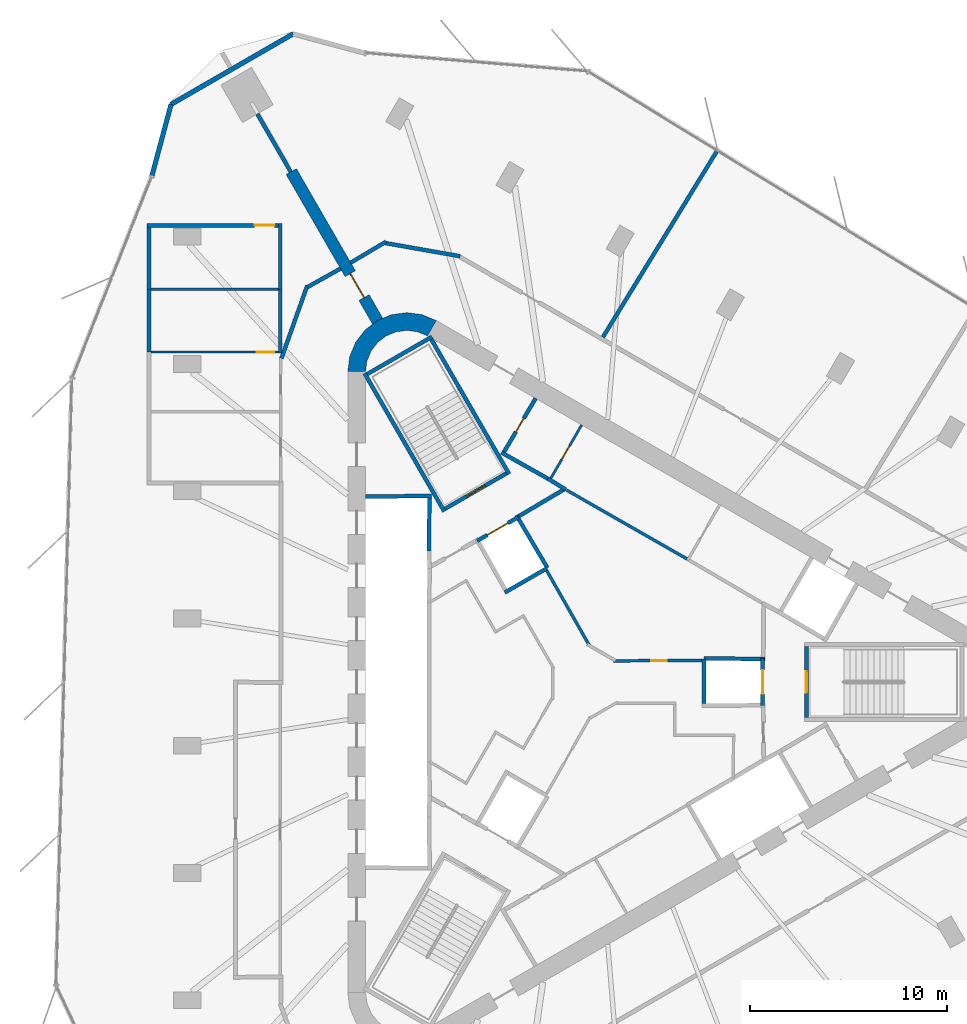
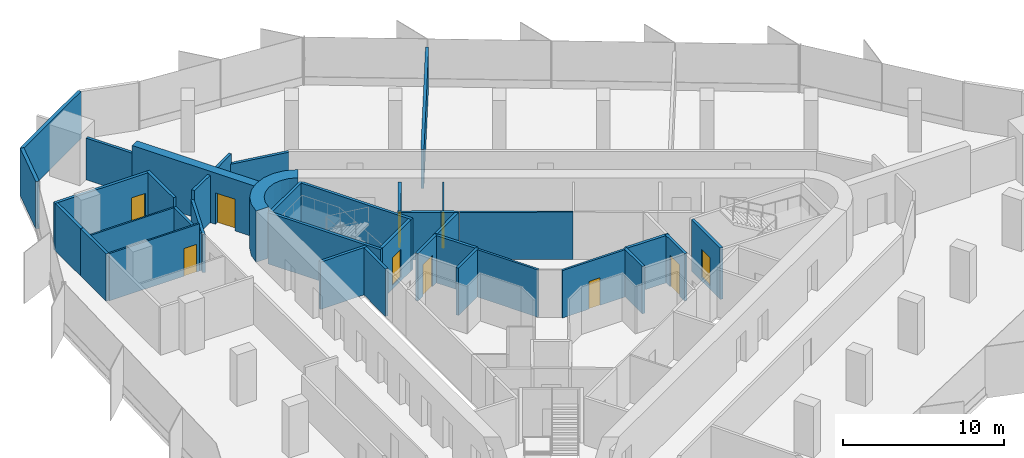
# One storey, part 10 of 13: 38 walls, 10 doors, 10 openings.
"""IFC4 building model written with IfcOpenShell, lengths in metres."""

from ifc_helpers import new_model, si_unit, direction, frame, frame_2d, origin, place, context, subcontext, project, spatial, polyline, rectangle, outline, extrude, material, layer, layer_set, type_object, element, fill, save


model = new_model("IFC4")

# Units and contexts
model_context = context("Model", 3, precision=1e-05, world=origin(), true_north=direction((0.0, 1.0)))
body_context = subcontext(model_context, "Body", "Model", "MODEL_VIEW")
ifc_project = project(units=[si_unit("LENGTHUNIT", "METRE"), si_unit("AREAUNIT", "SQUARE_METRE"), si_unit("VOLUMEUNIT", "CUBIC_METRE"), si_unit("PLANEANGLEUNIT", "RADIAN"), si_unit("MASSUNIT", "GRAM", prefix="KILO")], contexts=[model_context])

# Site, building, storey
site_placement = place(None, origin())
site = spatial("IfcSite", under=ifc_project, at=site_placement, CompositionType="ELEMENT")
building_placement = place(site_placement, origin())
building = spatial("IfcBuilding", under=site, at=building_placement, Name="Tanit Gate Tower", CompositionType="ELEMENT")
storey_placement = place(building_placement, frame((0.0, 0.0, 322.10009765625)))
storey = spatial("IfcBuildingStorey", under=building, at=storey_placement, Name="L72", CompositionType="ELEMENT", Elevation=322.10009765625)

# Wall, opening, door
ifc_material_1 = material(Name="Concrete C40/50", Category="concrete")
ifc_layer_1 = layer(ifc_material_1, 0.60009765625)
ifc_layer_set_1 = layer_set([ifc_layer_1], Name="BUTTRESS FIN 600 C40/50")
wall_type_1 = type_object("IfcWallType", Name="BUTTRESS FIN 600 C40/50", PredefinedType="SHEAR", material=ifc_layer_set_1)
wall_1_placement = place(storey_placement, frame((-10.574951171875, 18.31640625, 0.0), z_axis=(0.0, 0.0, 1.0), x_axis=(-0.499987805019, 0.866032444446, 0.0)))
wall_1 = element("IfcWall", 1, at=wall_1_placement, inside=storey, type_object=wall_type_1, Name="BUTTRESS FIN", PredefinedType="SHEAR", context=body_context, shape_type="SweptSolid", body=[
    extrude(rectangle(XDim=8.787353515625, YDim=0.60009765625, at=frame_2d((4.3935546875, 0.0))), origin(), (0.0, 0.0, 1.0), 3.89990234375),
])
opening_1_placement = place(wall_1_placement, frame((1.39990234375, 0.0, 0.0)))
opening_1 = element("IfcOpeningElement", 2, at=opening_1_placement, cuts=wall_1, Name="Opening P14-S20-F-NW-1", PredefinedType="OPENING", context=body_context, shape_type="SweptSolid", body=[
    extrude(rectangle(XDim=1.39990234375, YDim=2.39990234375, at=frame_2d((0.699951171875, 1.199951171875))), frame((0.0, 0.31005859375, 0.0), z_axis=(0.0, -1.0, 0.0), x_axis=(1.0, 0.0, 0.0)), (0.0, 0.0, 1.0), 0.6201171875),
])
ifc_material_2 = material(Name="Timber door leaf", Category="wood")
door_type_1 = type_object("IfcDoorType", Name="INT-DOOR-FIN-PAIR-1400", OperationType="NOTDEFINED", PredefinedType="NOTDEFINED", material=ifc_material_2)
door_1_placement = place(opening_1_placement, origin())
door_1 = element("IfcDoor", 3, at=door_1_placement, inside=storey, type_object=door_type_1, Name="Door P14-S20-F-NW-1", OperationType="DOUBLE_DOOR_SINGLE_SWING", OverallHeight=2.39990234375, OverallWidth=1.39990234375, PredefinedType="NOTDEFINED", context=body_context, shape_type="SweptSolid", body=[
    extrude(rectangle(XDim=1.39990234375, YDim=2.39990234375, at=frame_2d((0.699951171875, 1.199951171875))), frame((0.0, 0.02490234375, 0.0), z_axis=(0.0, -1.0, 0.0), x_axis=(1.0, 0.0, 0.0)), (0.0, 0.0, 1.0), 0.050048828125),
])
fill(opening_1, door_1)

# Walls
ifc_material_3 = material(Name="Concrete C40/50", Category="concrete")
ifc_layer_2 = layer(ifc_material_3, 0.89990234375)
ifc_layer_set_2 = layer_set([ifc_layer_2], Name="CORE WALL 900 C40/50")
wall_type_2 = type_object("IfcWallType", Name="CORE WALL 900 C40/50", PredefinedType="SHEAR", material=ifc_layer_set_2)
wall_2_placement = place(storey_placement, origin())
element("IfcWall", 4, at=wall_2_placement, inside=storey, type_object=wall_type_2, Name="CORE WALL CORNER", PredefinedType="SHEAR", context=body_context, shape_type="SweptSolid", body=[
    extrude(outline(polyline([(-7.60009765625, 18.359619140625), (-8.323486328125, 18.659423828125), (-9.10009765625, 18.76171875), (-9.87646484375, 18.659423828125), (-10.60009765625, 18.359619140625), (-11.22119140625, 17.883056640625), (-11.697998046875, 17.26171875), (-11.997802734375, 16.5380859375), (-12.10009765625, 15.76171875), (-11.199951171875, 15.76171875), (-11.12841796875, 16.30517578125), (-10.918701171875, 16.811767578125), (-10.5849609375, 17.24658203125), (-10.14990234375, 17.580322265625), (-9.6435546875, 17.7900390625), (-9.10009765625, 17.86181640625), (-8.556396484375, 17.7900390625), (-8.050048828125, 17.580322265625), (-7.60009765625, 18.359619140625)])), origin(), (0.0, 0.0, 1.0), 3.89990234375),
])
ifc_material_4 = material(Name="Concrete C30/37 with bronze anodised aluminium cladding", Category="concrete")
ifc_layer_3 = layer(ifc_material_4, 0.239990234375)
ifc_layer_set_3 = layer_set([ifc_layer_3], Name="Facade wall bronze clad 240")
wall_type_3 = type_object("IfcWallType", Name="Facade wall bronze clad 240", PredefinedType="SOLIDWALL", material=ifc_layer_set_3)
wall_3_placement = place(storey_placement, frame((-14.871337890625, 32.926025390625, 0.0), z_axis=(0.0, 0.0, 1.0), x_axis=(-0.866029611329, -0.499992712247, 0.0)))
element("IfcWall", 5, at=wall_3_placement, inside=storey, type_object=wall_type_3, Name="Bronze-clad facade wall L72 NW.arc2", PredefinedType="SOLIDWALL", context=body_context, shape_type="SweptSolid", body=[
    extrude(rectangle(XDim=7.16796875, YDim=0.239990234375, at=frame_2d((3.583984375, 0.0))), origin(), (0.0, 0.0, 1.0), 3.599853515625),
])
wall_4_placement = place(storey_placement, frame((-21.0791015625, 29.342041015625, 0.0), z_axis=(0.0, 0.0, 1.0), x_axis=(-0.258833727946, -0.965921891913, 0.0)))
element("IfcWall", 6, at=wall_4_placement, inside=storey, type_object=wall_type_3, Name="Bronze-clad facade wall L72 NW.arc3", PredefinedType="SOLIDWALL", context=body_context, shape_type="SweptSolid", body=[
    extrude(rectangle(XDim=3.749267578125, YDim=0.239990234375, at=frame_2d((1.87451171875, 0.0))), origin(), (0.0, 0.0, 1.0), 3.599853515625),
])
ifc_material_5 = material(Name="Fire-rated gypsum board partition")
ifc_layer_4 = layer(ifc_material_5, 0.199951171875)
ifc_layer_set_4 = layer_set([ifc_layer_4], Name="INT-WALL-COMPARTMENT")
wall_type_4 = type_object("IfcWallType", Name="INT-WALL-COMPARTMENT", PredefinedType="PARTITIONING", material=ifc_layer_set_4)
wall_5_placement = place(storey_placement, frame((-1.940673828125, 10.338623046875, 0.0), z_axis=(0.0, 0.0, 1.0), x_axis=(0.850216889117, -0.526432561171, 0.0)))
element("IfcWall", 7, at=wall_5_placement, inside=storey, type_object=wall_type_4, Name="Wall Compartment W048", PredefinedType="PARTITIONING", context=body_context, shape_type="SweptSolid", body=[
    extrude(rectangle(XDim=1.078369140625, YDim=0.199951171875, at=frame_2d((0.5390625, 0.0))), origin(), (0.0, 0.0, 1.0), 3.599853515625),
])
wall_6_placement = place(storey_placement, frame((-4.296142578125, 11.658935546875, 0.0), z_axis=(0.0, 0.0, 1.0), x_axis=(0.871534483978, -0.490334215854, 0.0)))
element("IfcWall", 8, at=wall_6_placement, inside=storey, type_object=wall_type_4, Name="Wall Compartment W050", PredefinedType="PARTITIONING", context=body_context, shape_type="SweptSolid", body=[
    extrude(rectangle(XDim=2.7001953125, YDim=0.199951171875, at=frame_2d((1.35009765625, 0.0))), origin(), (0.0, 0.0, 1.0), 3.599853515625),
])

# Wall, opening, door
wall_7_placement = place(storey_placement, frame((-2.557861328125, 14.409423828125, 0.0), z_axis=(0.0, 0.0, 1.0), x_axis=(-0.508018930956, -0.861345903683, 0.0)))
wall_7 = element("IfcWall", 9, at=wall_7_placement, inside=storey, type_object=wall_type_4, Name="Wall Compartment W051", PredefinedType="PARTITIONING", context=body_context, shape_type="SweptSolid", body=[
    extrude(rectangle(XDim=3.150146484375, YDim=0.199951171875, at=frame_2d((1.5751953125, 0.0))), origin(), (0.0, 0.0, 1.0), 3.599853515625),
])
opening_2_placement = place(wall_7_placement, frame((1.175048828125, 0.0, 0.0)))
opening_2 = element("IfcOpeningElement", 10, at=opening_2_placement, cuts=wall_7, Name="Opening R08-S20-14", PredefinedType="OPENING", context=body_context, shape_type="SweptSolid", body=[
    extrude(rectangle(XDim=0.800048828125, YDim=2.10009765625, at=frame_2d((0.39990234375, 1.050048828125))), frame((0.0, 0.10986328125, 0.0), z_axis=(0.0, -1.0, 0.0), x_axis=(1.0, 0.0, 0.0)), (0.0, 0.0, 1.0), 0.219970703125),
])
ifc_material_6 = material(Name="Timber door leaf", Category="wood")
door_type_2 = type_object("IfcDoorType", Name="INT-DOOR-RISER-800", OperationType="NOTDEFINED", PredefinedType="USERDEFINED", material=ifc_material_6)
door_2_placement = place(opening_2_placement, origin())
door_2 = element("IfcDoor", 11, at=door_2_placement, inside=storey, type_object=door_type_2, Name="Door R08-S20-14", ObjectType="FIRE DOOR", OperationType="SINGLE_SWING_RIGHT", OverallHeight=2.10009765625, OverallWidth=0.800048828125, PredefinedType="USERDEFINED", context=body_context, shape_type="SweptSolid", body=[
    extrude(rectangle(XDim=0.800048828125, YDim=2.10009765625, at=frame_2d((0.39990234375, 1.050048828125))), frame((0.0, 0.02490234375, 0.0), z_axis=(0.0, -1.0, 0.0), x_axis=(1.0, 0.0, 0.0)), (0.0, 0.0, 1.0), 0.050048828125),
])
fill(opening_2, door_2)

# Walls
wall_8_placement = place(storey_placement, frame((-1.0546875, 9.818359375, 0.0), z_axis=(0.0, 0.0, 1.0), x_axis=(-0.860614334655, -0.50925726994, 0.0)))
element("IfcWall", 12, at=wall_8_placement, inside=storey, type_object=wall_type_4, Name="Wall Compartment W061", PredefinedType="PARTITIONING", context=body_context, shape_type="SweptSolid", body=[
    extrude(rectangle(XDim=2.725830078125, YDim=0.199951171875, at=frame_2d((1.36279296875, 0.0))), origin(), (0.0, 0.0, 1.0), 3.599853515625),
])
wall_9_placement = place(storey_placement, frame((-14.153564453125, 20.14208984375, 0.0), z_axis=(0.0, 0.0, 1.0), x_axis=(-0.335013345564, -0.94221338257, 0.0)))
element("IfcWall", 13, at=wall_9_placement, inside=storey, type_object=wall_type_4, Name="Wall Compartment W091", PredefinedType="PARTITIONING", context=body_context, shape_type="SweptSolid", body=[
    extrude(rectangle(XDim=3.9287109375, YDim=0.199951171875, at=frame_2d((1.96435546875, 0.0))), origin(), (0.0, 0.0, 1.0), 2.8798828125),
])
wall_10_placement = place(storey_placement, frame((-12.469970703125, 20.99853515625, 0.0), z_axis=(0.0, 0.0, 1.0), x_axis=(-0.87250601595, -0.488603368932, 0.0)))
element("IfcWall", 14, at=wall_10_placement, inside=storey, type_object=wall_type_4, Name="Wall Compartment W092", PredefinedType="PARTITIONING", context=body_context, shape_type="SweptSolid", body=[
    extrude(rectangle(XDim=1.923828125, YDim=0.199951171875, at=frame_2d((0.9619140625, 0.0))), origin(), (0.0, 0.0, 1.0), 3.599853515625),
])
wall_11_placement = place(storey_placement, frame((-10.154541015625, 22.3671875, 0.0), z_axis=(0.0, 0.0, 1.0), x_axis=(-0.859343009577, -0.511399640097, 0.0)))
element("IfcWall", 15, at=wall_11_placement, inside=storey, type_object=wall_type_4, Name="Wall Compartment W095", PredefinedType="PARTITIONING", context=body_context, shape_type="SweptSolid", body=[
    extrude(rectangle(XDim=2.089599609375, YDim=0.199951171875, at=frame_2d((1.044921875, 0.0))), origin(), (0.0, 0.0, 1.0), 3.599853515625),
])
wall_12_placement = place(storey_placement, frame((-6.389404296875, 21.626220703125, 0.0), z_axis=(0.0, 0.0, 1.0), x_axis=(-0.984802578286, 0.173677522442, 0.0)))
element("IfcWall", 16, at=wall_12_placement, inside=storey, type_object=wall_type_4, Name="Wall Compartment W096", PredefinedType="PARTITIONING", context=body_context, shape_type="SweptSolid", body=[
    extrude(rectangle(XDim=3.87548828125, YDim=0.199951171875, at=frame_2d((1.937744140625, 0.0))), origin(), (0.0, 0.0, 1.0), 2.8798828125),
])
wall_13_placement = place(storey_placement, frame((-14.99462890625, 25.911376953125, 0.0), z_axis=(0.0, 0.0, 1.0), x_axis=(-0.500010627009, 0.866019268191, 0.0)))
element("IfcWall", 17, at=wall_13_placement, inside=storey, type_object=wall_type_4, Name="Wall Compartment W109", PredefinedType="PARTITIONING", context=body_context, shape_type="SweptSolid", body=[
    extrude(rectangle(XDim=3.39794921875, YDim=0.199951171875, at=frame_2d((1.698974609375, 0.0))), origin(), (0.0, 0.0, 1.0), 3.169921875),
])
wall_14_placement = place(storey_placement, frame((-22.199951171875, 23.090087890625, 0.0), z_axis=(0.0, 0.0, 1.0), x_axis=(0.0, -1.0, 0.0)))
element("IfcWall", 18, at=wall_14_placement, inside=storey, type_object=wall_type_4, Name="Wall Compartment W119", PredefinedType="PARTITIONING", context=body_context, shape_type="SweptSolid", body=[
    extrude(rectangle(XDim=3.139892578125, YDim=0.199951171875, at=frame_2d((1.56982421875, 0.0))), origin(), (0.0, 0.0, 1.0), 3.599853515625),
])
wall_15_placement = place(storey_placement, frame((-22.199951171875, 19.9501953125, 0.0), z_axis=(0.0, 0.0, 1.0), x_axis=(0.0, -1.0, 0.0)))
element("IfcWall", 19, at=wall_15_placement, inside=storey, type_object=wall_type_4, Name="Wall Compartment W115", PredefinedType="PARTITIONING", context=body_context, shape_type="SweptSolid", body=[
    extrude(rectangle(XDim=3.1884765625, YDim=0.199951171875, at=frame_2d((1.59423828125, 0.0))), origin(), (0.0, 0.0, 1.0), 3.599853515625),
])
wall_16_placement = place(storey_placement, frame((-15.530029296875, 16.70166015625, 0.0), z_axis=(0.0, 0.0, 1.0), x_axis=(0.0, 1.0, 0.0)))
element("IfcWall", 20, at=wall_16_placement, inside=storey, type_object=wall_type_4, Name="Wall Compartment W116", PredefinedType="PARTITIONING", context=body_context, shape_type="SweptSolid", body=[
    extrude(rectangle(XDim=3.24853515625, YDim=0.199951171875, at=frame_2d((1.624267578125, 0.0))), origin(), (0.0, 0.0, 1.0), 2.8798828125),
])
wall_17_placement = place(storey_placement, frame((-15.530029296875, 19.9501953125, 0.0), z_axis=(0.0, 0.0, 1.0), x_axis=(0.0, 1.0, 0.0)))
element("IfcWall", 21, at=wall_17_placement, inside=storey, type_object=wall_type_4, Name="Wall Compartment W117", PredefinedType="PARTITIONING", context=body_context, shape_type="SweptSolid", body=[
    extrude(rectangle(XDim=3.33984375, YDim=0.199951171875, at=frame_2d((1.669921875, 0.0))), origin(), (0.0, 0.0, 1.0), 3.599853515625),
])

# Wall, opening, door
wall_18_placement = place(storey_placement, frame((-15.6298828125, 23.18994140625, 0.0), z_axis=(0.0, 0.0, 1.0), x_axis=(-1.0, 0.0, 0.0)))
wall_18 = element("IfcWall", 22, at=wall_18_placement, inside=storey, type_object=wall_type_4, Name="Wall Compartment W118", PredefinedType="PARTITIONING", context=body_context, shape_type="SweptSolid", body=[
    extrude(rectangle(XDim=6.670166015625, YDim=0.199951171875, at=frame_2d((3.3349609375, 0.0))), origin(), (0.0, 0.0, 1.0), 3.599853515625),
])
opening_3_placement = place(wall_18_placement, frame((0.199951171875, 0.0, 0.0)))
opening_3 = element("IfcOpeningElement", 23, at=opening_3_placement, cuts=wall_18, Name="Opening F10-S20-22", PredefinedType="OPENING", context=body_context, shape_type="SweptSolid", body=[
    extrude(rectangle(XDim=1.0, YDim=2.10009765625, at=frame_2d((0.5, 1.050048828125))), frame((0.0, 0.10986328125, 0.0), z_axis=(0.0, -1.0, 0.0), x_axis=(1.0, 0.0, 0.0)), (0.0, 0.0, 1.0), 0.219970703125),
])
ifc_material_7 = material(Name="Fire-rated steel door leaf", Category="steel")
door_type_3 = type_object("IfcDoorType", Name="INT-DOOR-FIRE-1000", OperationType="NOTDEFINED", PredefinedType="USERDEFINED", material=ifc_material_7)
door_3_placement = place(opening_3_placement, origin())
door_3 = element("IfcDoor", 24, at=door_3_placement, inside=storey, type_object=door_type_3, Name="Door F10-S20-22", ObjectType="FIRE DOOR", OperationType="SINGLE_SWING_LEFT", OverallHeight=2.10009765625, OverallWidth=1.0, PredefinedType="USERDEFINED", context=body_context, shape_type="SweptSolid", body=[
    extrude(rectangle(XDim=1.0, YDim=2.10009765625, at=frame_2d((0.5, 1.050048828125))), frame((0.0, 0.02490234375, 0.0), z_axis=(0.0, -1.0, 0.0), x_axis=(1.0, 0.0, 0.0)), (0.0, 0.0, 1.0), 0.050048828125),
])
fill(opening_3, door_3)

# Wall
wall_19_placement = place(storey_placement, frame((0.859619140625, 17.51708984375, 0.0), z_axis=(0.0, 0.0, 1.0), x_axis=(0.5223859344, 0.852709174069, 0.0)))
element("IfcWall", 25, at=wall_19_placement, inside=storey, type_object=wall_type_4, Name="Wall Compartment W120", PredefinedType="PARTITIONING", context=body_context, shape_type="SweptSolid", body=[
    extrude(rectangle(XDim=11.117431640625, YDim=0.199951171875, at=frame_2d((5.55859375, 0.0))), origin(), (0.0, 0.0, 1.0), 2.969970703125),
])

# Wall, opening, door
ifc_material_8 = material(Name="Gypsum board partition")
ifc_layer_5 = layer(ifc_material_8, 0.1201171875)
ifc_layer_set_5 = layer_set([ifc_layer_5], Name="INT-WALL-PARTITION")
wall_type_5 = type_object("IfcWallType", Name="INT-WALL-PARTITION", PredefinedType="PARTITIONING", material=ifc_layer_set_5)
wall_20_placement = place(storey_placement, frame((-0.2197265625, 13.0595703125, 0.0), z_axis=(0.0, 0.0, 1.0), x_axis=(-0.499984717929, -0.866034226713, 0.0)))
wall_20 = element("IfcWall", 26, at=wall_20_placement, inside=storey, type_object=wall_type_5, Name="Wall Partition W047", PredefinedType="PARTITIONING", context=body_context, shape_type="SweptSolid", body=[
    extrude(rectangle(XDim=3.25, YDim=0.1201171875, at=frame_2d((1.625, 0.0))), origin(), (0.0, 0.0, 1.0), 3.599853515625),
])
opening_4_placement = place(wall_20_placement, frame((1.22509765625, 0.0, 0.0)))
opening_4 = element("IfcOpeningElement", 27, at=opening_4_placement, cuts=wall_20, Name="Opening R08-S20-29", PredefinedType="OPENING", context=body_context, shape_type="SweptSolid", body=[
    extrude(rectangle(XDim=0.800048828125, YDim=2.10009765625, at=frame_2d((0.39990234375, 1.050048828125))), frame((0.0, 0.070068359375, 0.0), z_axis=(0.0, -1.0, 0.0), x_axis=(1.0, 0.0, 0.0)), (0.0, 0.0, 1.0), 0.14013671875),
])
door_4_placement = place(opening_4_placement, origin())
door_4 = element("IfcDoor", 28, at=door_4_placement, inside=storey, type_object=door_type_2, Name="Door R08-S20-29", ObjectType="FIRE DOOR", OperationType="SINGLE_SWING_RIGHT", OverallHeight=2.10009765625, OverallWidth=0.800048828125, PredefinedType="USERDEFINED", context=body_context, shape_type="SweptSolid", body=[
    extrude(rectangle(XDim=0.800048828125, YDim=2.10009765625, at=frame_2d((0.39990234375, 1.050048828125))), frame((0.0, 0.02490234375, 0.0), z_axis=(0.0, -1.0, 0.0), x_axis=(1.0, 0.0, 0.0)), (0.0, 0.0, 1.0), 0.050048828125),
])
fill(opening_4, door_4)

wall_21_placement = place(storey_placement, frame((-22.10009765625, 16.76171875, 0.0), z_axis=(0.0, 0.0, 1.0), x_axis=(1.0, 0.0, 0.0)))
wall_21 = element("IfcWall", 29, at=wall_21_placement, inside=storey, type_object=wall_type_5, Name="Wall Partition W126", PredefinedType="PARTITIONING", context=body_context, shape_type="SweptSolid", body=[
    extrude(rectangle(XDim=6.47021484375, YDim=0.1201171875, at=frame_2d((3.235107421875, 0.0))), origin(), (0.0, 0.0, 1.0), 3.599853515625),
])
opening_5_placement = place(wall_21_placement, frame((5.3701171875, 0.0, 0.0)))
opening_5 = element("IfcOpeningElement", 30, at=opening_5_placement, cuts=wall_21, Name="Opening D09-S20-21", PredefinedType="OPENING", context=body_context, shape_type="SweptSolid", body=[
    extrude(rectangle(XDim=0.89990234375, YDim=2.10009765625, at=frame_2d((0.449951171875, 1.050048828125))), frame((0.0, 0.070068359375, 0.0), z_axis=(0.0, -1.0, 0.0), x_axis=(1.0, 0.0, 0.0)), (0.0, 0.0, 1.0), 0.14013671875),
])
ifc_material_9 = material(Name="Timber door leaf", Category="wood")
door_type_4 = type_object("IfcDoorType", Name="INT-DOOR-SINGLE-900", OperationType="NOTDEFINED", PredefinedType="NOTDEFINED", material=ifc_material_9)
door_5_placement = place(opening_5_placement, origin())
door_5 = element("IfcDoor", 31, at=door_5_placement, inside=storey, type_object=door_type_4, Name="Door D09-S20-21", OperationType="SINGLE_SWING_RIGHT", OverallHeight=2.10009765625, OverallWidth=0.89990234375, PredefinedType="NOTDEFINED", context=body_context, shape_type="SweptSolid", body=[
    extrude(rectangle(XDim=0.89990234375, YDim=2.10009765625, at=frame_2d((0.449951171875, 1.050048828125))), frame((0.0, 0.02490234375, 0.0), z_axis=(0.0, -1.0, 0.0), x_axis=(1.0, 0.0, 0.0)), (0.0, 0.0, 1.0), 0.050048828125),
])
fill(opening_5, door_5)

# Walls
wall_22_placement = place(storey_placement, frame((-22.10009765625, 19.9501953125, 0.0), z_axis=(0.0, 0.0, 1.0), x_axis=(1.0, 0.0, 0.0)))
element("IfcWall", 32, at=wall_22_placement, inside=storey, type_object=wall_type_5, Name="Wall Partition W127", PredefinedType="PARTITIONING", context=body_context, shape_type="SweptSolid", body=[
    extrude(rectangle(XDim=6.47021484375, YDim=0.1201171875, at=frame_2d((3.235107421875, 0.0))), origin(), (0.0, 0.0, 1.0), 2.8798828125),
])
ifc_material_10 = material(Name="Fire-rated gypsum board partition")
ifc_layer_6 = layer(ifc_material_10, 0.14990234375)
ifc_layer_set_6 = layer_set([ifc_layer_6], Name="INT-WALL-RISER")
wall_type_6 = type_object("IfcWallType", Name="INT-WALL-RISER", PredefinedType="PLUMBINGWALL", material=ifc_layer_set_6)
wall_23_placement = place(storey_placement, frame((5.1591796875, 6.23583984375, 0.0), z_axis=(0.0, 0.0, 1.0), x_axis=(-0.868105023632, 0.496380567654, 0.0)))
element("IfcWall", 33, at=wall_23_placement, inside=storey, type_object=wall_type_6, Name="Wall Riser W049", PredefinedType="PLUMBINGWALL", context=body_context, shape_type="SweptSolid", body=[
    extrude(rectangle(XDim=7.072265625, YDim=0.14990234375, at=frame_2d((3.5361328125, 0.0))), origin(), (0.0, 0.0, 1.0), 3.599853515625),
])

# Wall, opening, door
wall_24_placement = place(storey_placement, frame((1.3876953125, 1.07421875, 0.0), z_axis=(0.0, 0.0, 1.0), x_axis=(0.99997856967, 0.006546770205, 0.0)))
wall_24 = element("IfcWall", 34, at=wall_24_placement, inside=storey, type_object=wall_type_6, Name="Wall Riser W065", PredefinedType="PLUMBINGWALL", context=body_context, shape_type="SweptSolid", body=[
    extrude(rectangle(XDim=4.51220703125, YDim=0.14990234375, at=frame_2d((2.256103515625, 0.0))), origin(), (0.0, 0.0, 1.0), 3.599853515625),
])
opening_6_placement = place(wall_24_placement, frame((1.920166015625, 0.0, 0.0)))
opening_6 = element("IfcOpeningElement", 35, at=opening_6_placement, cuts=wall_24, Name="Opening R08-S20-10", PredefinedType="OPENING", context=body_context, shape_type="SweptSolid", body=[
    extrude(rectangle(XDim=0.800048828125, YDim=2.10009765625, at=frame_2d((0.39990234375, 1.050048828125))), frame((0.0, 0.0849609375, 0.0), z_axis=(0.0, -1.0, 0.0), x_axis=(1.0, 0.0, 0.0)), (0.0, 0.0, 1.0), 0.169921875),
])
door_6_placement = place(opening_6_placement, origin())
door_6 = element("IfcDoor", 36, at=door_6_placement, inside=storey, type_object=door_type_2, Name="Door R08-S20-10", ObjectType="FIRE DOOR", OperationType="SINGLE_SWING_RIGHT", OverallHeight=2.10009765625, OverallWidth=0.800048828125, PredefinedType="USERDEFINED", context=body_context, shape_type="SweptSolid", body=[
    extrude(rectangle(XDim=0.800048828125, YDim=2.10009765625, at=frame_2d((0.39990234375, 1.050048828125))), frame((0.0, 0.02490234375, 0.0), z_axis=(0.0, -1.0, 0.0), x_axis=(1.0, 0.0, 0.0)), (0.0, 0.0, 1.0), 0.050048828125),
])
fill(opening_6, door_6)

# Walls
wall_25_placement = place(storey_placement, frame((-1.994140625, 5.661376953125, 0.0), z_axis=(0.0, 0.0, 1.0), x_axis=(0.494341211302, -0.869267948798, 0.0)))
element("IfcWall", 37, at=wall_25_placement, inside=storey, type_object=wall_type_6, Name="Wall Riser W067", PredefinedType="PLUMBINGWALL", context=body_context, shape_type="SweptSolid", body=[
    extrude(rectangle(XDim=4.36083984375, YDim=0.14990234375, at=frame_2d((2.180419921875, 0.0))), origin(), (0.0, 0.0, 1.0), 3.599853515625),
])
ifc_material_11 = material(Name="Gypsum shaft wall system")
ifc_layer_7 = layer(ifc_material_11, 0.199951171875)
ifc_layer_set_7 = layer_set([ifc_layer_7], Name="INT-WALL-SHAFT")
wall_type_7 = type_object("IfcWallType", Name="INT-WALL-SHAFT", PredefinedType="PLUMBINGWALL", material=ifc_layer_set_7)
wall_26_placement = place(storey_placement, frame((-11.199951171875, 9.419921875, 0.0), z_axis=(0.0, 0.0, 1.0), x_axis=(0.999957167047, 0.009255488683, 0.0)))
element("IfcWall", 38, at=wall_26_placement, inside=storey, type_object=wall_type_7, Name="Wall Shaft W001", PredefinedType="PLUMBINGWALL", context=body_context, shape_type="SweptSolid", body=[
    extrude(rectangle(XDim=3.35009765625, YDim=0.199951171875, at=frame_2d((1.675048828125, 0.0))), origin(), (0.0, 0.0, 1.0), 3.599853515625),
])
wall_27_placement = place(storey_placement, frame((-7.951171875, 9.35009765625, 0.0), z_axis=(0.0, 0.0, 1.0), x_axis=(-0.011120469654, -0.999938165666, 0.0)))
element("IfcWall", 39, at=wall_27_placement, inside=storey, type_object=wall_type_7, Name="Wall Shaft W002", PredefinedType="PLUMBINGWALL", context=body_context, shape_type="SweptSolid", body=[
    extrude(rectangle(XDim=2.700439453125, YDim=0.199951171875, at=frame_2d((1.35009765625, 0.0))), origin(), (0.0, 0.0, 1.0), 3.599853515625),
])

# Wall, opening, door
wall_28_placement = place(storey_placement, frame((8.969970703125, 1.199951171875, 0.0), z_axis=(0.0, 0.0, 1.0), x_axis=(0.0, -1.0, 0.0)))
wall_28 = element("IfcWall", 40, at=wall_28_placement, inside=storey, type_object=wall_type_7, Name="Wall Shaft W024", PredefinedType="PLUMBINGWALL", context=body_context, shape_type="SweptSolid", body=[
    extrude(rectangle(XDim=2.39990234375, YDim=0.199951171875, at=frame_2d((1.199951171875, 0.0))), origin(), (0.0, 0.0, 1.0), 3.599853515625),
])
opening_7_placement = place(wall_28_placement, frame((0.60009765625, 0.0, 0.0)))
opening_7 = element("IfcOpeningElement", 41, at=opening_7_placement, cuts=wall_28, Name="Opening LDFL1-L72", PredefinedType="OPENING", context=body_context, shape_type="SweptSolid", body=[
    extrude(rectangle(XDim=1.199951171875, YDim=2.39990234375, at=frame_2d((0.60009765625, 1.199951171875))), frame((0.0, 0.10986328125, 0.0), z_axis=(0.0, -1.0, 0.0), x_axis=(1.0, 0.0, 0.0)), (0.0, 0.0, 1.0), 0.219970703125),
])
ifc_material_12 = material(Name="Stainless steel sliding door leaf", Category="steel")
door_type_5 = type_object("IfcDoorType", Name="INT-DOOR-LANDING-1200", OperationType="NOTDEFINED", PredefinedType="USERDEFINED", material=ifc_material_12)
door_7_placement = place(opening_7_placement, origin())
door_7 = element("IfcDoor", 42, at=door_7_placement, inside=storey, type_object=door_type_5, Name="Door LDFL1-L72", ObjectType="LANDING DOOR", OperationType="SLIDING_TO_LEFT", OverallHeight=2.39990234375, OverallWidth=1.199951171875, PredefinedType="USERDEFINED", context=body_context, shape_type="SweptSolid", body=[
    extrude(rectangle(XDim=1.199951171875, YDim=2.39990234375, at=frame_2d((0.60009765625, 1.199951171875))), frame((0.0, 0.02490234375, 0.0), z_axis=(0.0, -1.0, 0.0), x_axis=(1.0, 0.0, 0.0)), (0.0, 0.0, 1.0), 0.050048828125),
])
fill(opening_7, door_7)

# Walls
wall_29_placement = place(storey_placement, frame((6.0, 1.199951171875, 0.0), z_axis=(0.0, 0.0, 1.0), x_axis=(0.999949988, -0.010001074852, 0.0)))
element("IfcWall", 43, at=wall_29_placement, inside=storey, type_object=wall_type_7, Name="Wall Shaft W025", PredefinedType="PLUMBINGWALL", context=body_context, shape_type="SweptSolid", body=[
    extrude(rectangle(XDim=3.100341796875, YDim=0.199951171875, at=frame_2d((1.55029296875, 0.0))), origin(), (0.0, 0.0, 1.0), 3.599853515625),
])
wall_30_placement = place(storey_placement, frame((6.0, -1.10009765625, 0.0), z_axis=(0.0, 0.0, 1.0), x_axis=(0.0, 1.0, 0.0)))
element("IfcWall", 44, at=wall_30_placement, inside=storey, type_object=wall_type_7, Name="Wall Shaft W027", PredefinedType="PLUMBINGWALL", context=body_context, shape_type="SweptSolid", body=[
    extrude(rectangle(XDim=2.279541015625, YDim=0.199951171875, at=frame_2d((1.1396484375, 0.0))), origin(), (0.0, 0.0, 1.0), 3.599853515625),
])

# Wall, opening, door
wall_31_placement = place(storey_placement, frame((-5.524169921875, 7.168212890625, 0.0), z_axis=(0.0, 0.0, 1.0), x_axis=(0.866024647952, 0.500001309137, 0.0)))
wall_31 = element("IfcWall", 45, at=wall_31_placement, inside=storey, type_object=wall_type_7, Name="Wall Shaft W032", PredefinedType="PLUMBINGWALL", context=body_context, shape_type="SweptSolid", body=[
    extrude(rectangle(XDim=2.39990234375, YDim=0.199951171875, at=frame_2d((1.199951171875, 0.0))), origin(), (0.0, 0.0, 1.0), 3.599853515625),
])
opening_8_placement = place(wall_31_placement, frame((0.60009765625, 0.0, 0.0)))
opening_8 = element("IfcOpeningElement", 46, at=opening_8_placement, cuts=wall_31, Name="Opening LDFL2-L72", PredefinedType="OPENING", context=body_context, shape_type="SweptSolid", body=[
    extrude(rectangle(XDim=1.199951171875, YDim=2.39990234375, at=frame_2d((0.60009765625, 1.199951171875))), frame((0.0, 0.10986328125, 0.0), z_axis=(0.0, -1.0, 0.0), x_axis=(1.0, 0.0, 0.0)), (0.0, 0.0, 1.0), 0.219970703125),
])
door_8_placement = place(opening_8_placement, origin())
door_8 = element("IfcDoor", 47, at=door_8_placement, inside=storey, type_object=door_type_5, Name="Door LDFL2-L72", ObjectType="LANDING DOOR", OperationType="SLIDING_TO_LEFT", OverallHeight=2.39990234375, OverallWidth=1.199951171875, PredefinedType="USERDEFINED", context=body_context, shape_type="SweptSolid", body=[
    extrude(rectangle(XDim=1.199951171875, YDim=2.39990234375, at=frame_2d((0.60009765625, 1.199951171875))), frame((0.0, 0.02490234375, 0.0), z_axis=(0.0, -1.0, 0.0), x_axis=(1.0, 0.0, 0.0)), (0.0, 0.0, 1.0), 0.050048828125),
])
fill(opening_8, door_8)

# Walls
wall_32_placement = place(storey_placement, frame((-3.53759765625, 8.46533203125, 0.0), z_axis=(0.0, 0.0, 1.0), x_axis=(0.508647062354, -0.860975125052, 0.0)))
element("IfcWall", 48, at=wall_32_placement, inside=storey, type_object=wall_type_7, Name="Wall Shaft W033", PredefinedType="PLUMBINGWALL", context=body_context, shape_type="SweptSolid", body=[
    extrude(rectangle(XDim=3.10009765625, YDim=0.199951171875, at=frame_2d((1.550048828125, 0.0))), origin(), (0.0, 0.0, 1.0), 3.599853515625),
])
wall_33_placement = place(storey_placement, frame((-1.978515625, 5.785888671875, 0.0), z_axis=(0.0, 0.0, 1.0), x_axis=(-0.866016689309, -0.500015093611, 0.0)))
element("IfcWall", 49, at=wall_33_placement, inside=storey, type_object=wall_type_7, Name="Wall Shaft W034", PredefinedType="PLUMBINGWALL", context=body_context, shape_type="SweptSolid", body=[
    extrude(rectangle(XDim=2.4794921875, YDim=0.199951171875, at=frame_2d((1.23974609375, 0.0))), origin(), (0.0, 0.0, 1.0), 3.599853515625),
])

# Wall, opening, door
ifc_material_13 = material(Name="Concrete C40/50", Category="concrete")
ifc_layer_8 = layer(ifc_material_13, 0.199951171875)
ifc_layer_set_8 = layer_set([ifc_layer_8], Name="INT-WALL-STAIR")
wall_type_8 = type_object("IfcWallType", Name="INT-WALL-STAIR", PredefinedType="SHEAR", material=ifc_layer_set_8)
wall_34_placement = place(storey_placement, frame((11.199951171875, -1.800048828125, -0.300048828125), z_axis=(0.0, 0.0, 1.0), x_axis=(0.0, 1.0, 0.0)))
wall_34 = element("IfcWall", 50, at=wall_34_placement, inside=storey, type_object=wall_type_8, Name="Wall Stair W023", PredefinedType="SHEAR", context=body_context, shape_type="SweptSolid", body=[
    extrude(rectangle(XDim=3.60009765625, YDim=0.199951171875, at=frame_2d((1.800048828125, 0.0))), origin(), (0.0, 0.0, 1.0), 3.89990234375),
])
opening_9_placement = place(wall_34_placement, frame((1.25, 0.0, 0.300048828125)))
opening_9 = element("IfcOpeningElement", 51, at=opening_9_placement, cuts=wall_34, Name="Opening S11-S20-01", PredefinedType="OPENING", context=body_context, shape_type="SweptSolid", body=[
    extrude(rectangle(XDim=1.10009765625, YDim=2.10009765625, at=frame_2d((0.550048828125, 1.050048828125))), frame((0.0, 0.10986328125, 0.0), z_axis=(0.0, -1.0, 0.0), x_axis=(1.0, 0.0, 0.0)), (0.0, 0.0, 1.0), 0.219970703125),
])
ifc_material_14 = material(Name="Timber door leaf", Category="wood")
door_type_6 = type_object("IfcDoorType", Name="INT-DOOR-STAIR-1100", OperationType="NOTDEFINED", PredefinedType="USERDEFINED", material=ifc_material_14)
door_9_placement = place(opening_9_placement, origin())
door_9 = element("IfcDoor", 52, at=door_9_placement, inside=storey, type_object=door_type_6, Name="Door S11-S20-01", ObjectType="FIRE DOOR", OperationType="SINGLE_SWING_LEFT", OverallHeight=2.10009765625, OverallWidth=1.10009765625, PredefinedType="USERDEFINED", context=body_context, shape_type="SweptSolid", body=[
    extrude(rectangle(XDim=1.10009765625, YDim=2.10009765625, at=frame_2d((0.550048828125, 1.050048828125))), frame((0.0, 0.02490234375, 0.0), z_axis=(0.0, -1.0, 0.0), x_axis=(1.0, 0.0, 0.0)), (0.0, 0.0, 1.0), 0.050048828125),
])
fill(opening_9, door_9)

# Walls
wall_35_placement = place(storey_placement, frame((-11.245361328125, 15.677734375, -0.300048828125), z_axis=(0.0, 0.0, 1.0), x_axis=(0.499977274689, -0.866038523851, 0.0)))
element("IfcWall", 53, at=wall_35_placement, inside=storey, type_object=wall_type_8, Name="Wall Stair W028", PredefinedType="SHEAR", context=body_context, shape_type="SweptSolid", body=[
    extrude(rectangle(XDim=8.10009765625, YDim=0.199951171875, at=frame_2d((4.050048828125, 0.0))), origin(), (0.0, 0.0, 1.0), 3.89990234375),
])
wall_36_placement = place(storey_placement, frame((-7.81787109375, 17.541015625, -0.300048828125), z_axis=(0.0, 0.0, 1.0), x_axis=(-0.866044365799, -0.499967155389, 0.0)))
element("IfcWall", 54, at=wall_36_placement, inside=storey, type_object=wall_type_8, Name="Wall Stair W029", PredefinedType="SHEAR", context=body_context, shape_type="SweptSolid", body=[
    extrude(rectangle(XDim=3.800048828125, YDim=0.199951171875, at=frame_2d((1.89990234375, 0.0))), origin(), (0.0, 0.0, 1.0), 3.89990234375),
])
wall_37_placement = place(storey_placement, frame((-7.8544921875, 17.404541015625, -0.300048828125), z_axis=(0.0, 0.0, 1.0), x_axis=(0.499997992926, -0.866026562566, 0.0)))
element("IfcWall", 55, at=wall_37_placement, inside=storey, type_object=wall_type_8, Name="Wall Stair W030", PredefinedType="SHEAR", context=body_context, shape_type="SweptSolid", body=[
    extrude(rectangle(XDim=7.89990234375, YDim=0.199951171875, at=frame_2d((3.949951171875, 0.0))), origin(), (0.0, 0.0, 1.0), 3.89990234375),
])

# Wall, opening, door
wall_38_placement = place(storey_placement, frame((-7.158935546875, 8.799560546875, -0.300048828125), z_axis=(0.0, 0.0, 1.0), x_axis=(0.866047807691, 0.499961193289, 0.0)))
wall_38 = element("IfcWall", 56, at=wall_38_placement, inside=storey, type_object=wall_type_8, Name="Wall Stair W031", PredefinedType="SHEAR", context=body_context, shape_type="SweptSolid", body=[
    extrude(rectangle(XDim=3.599853515625, YDim=0.199951171875, at=frame_2d((1.7998046875, 0.0))), origin(), (0.0, 0.0, 1.0), 3.89990234375),
])
opening_10_placement = place(wall_38_placement, frame((1.25, 0.0, 0.300048828125)))
opening_10 = element("IfcOpeningElement", 57, at=opening_10_placement, cuts=wall_38, Name="Opening S11-S20-04", PredefinedType="OPENING", context=body_context, shape_type="SweptSolid", body=[
    extrude(rectangle(XDim=1.10009765625, YDim=2.10009765625, at=frame_2d((0.550048828125, 1.050048828125))), frame((0.0, 0.10986328125, 0.0), z_axis=(0.0, -1.0, 0.0), x_axis=(1.0, 0.0, 0.0)), (0.0, 0.0, 1.0), 0.219970703125),
])
door_10_placement = place(opening_10_placement, origin())
door_10 = element("IfcDoor", 58, at=door_10_placement, inside=storey, type_object=door_type_6, Name="Door S11-S20-04", ObjectType="FIRE DOOR", OperationType="SINGLE_SWING_LEFT", OverallHeight=2.10009765625, OverallWidth=1.10009765625, PredefinedType="USERDEFINED", context=body_context, shape_type="SweptSolid", body=[
    extrude(rectangle(XDim=1.10009765625, YDim=2.10009765625, at=frame_2d((0.550048828125, 1.050048828125))), frame((0.0, 0.02490234375, 0.0), z_axis=(0.0, -1.0, 0.0), x_axis=(1.0, 0.0, 0.0)), (0.0, 0.0, 1.0), 0.050048828125),
])
fill(opening_10, door_10)

save(model, "model.ifc")
